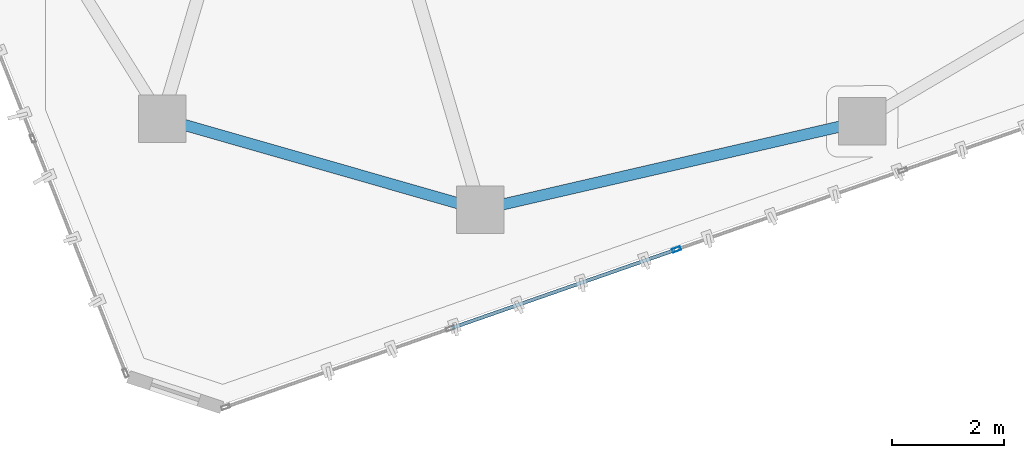
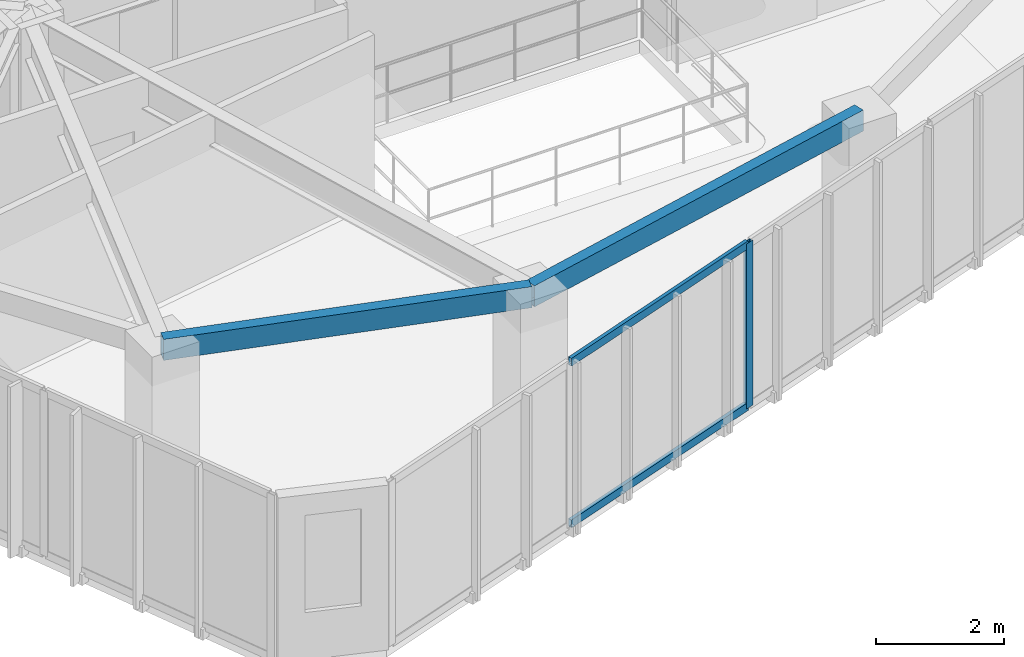
# One storey, part 3 of 20: 3 members, 2 beams, 1 element without a shape of its own.
"""IFC4 building model written with IfcOpenShell, lengths in metres."""

from ifc_helpers import new_model, si_unit, direction, frame, origin, origin_2d, place, context, subcontext, project, spatial, hollow_rectangle, extrude, source, transform, mapped, material, layer, layer_set, material_profile, profile_set, type_object, type_shapes, element, aggregate, save


model = new_model("IFC4")

# Units and contexts
model_context = context("Model", 3, precision=1e-05, world=origin(), true_north=direction((0.0, 1.0)))
body_context = subcontext(model_context, "Body", "Model", "MODEL_VIEW")
ifc_project = project(units=[si_unit("LENGTHUNIT", "METRE"), si_unit("AREAUNIT", "SQUARE_METRE"), si_unit("VOLUMEUNIT", "CUBIC_METRE"), si_unit("PLANEANGLEUNIT", "RADIAN"), si_unit("MASSUNIT", "GRAM", prefix="KILO")], contexts=[model_context])

# Site, building, storey
site_placement = place(None, origin())
site = spatial("IfcSite", under=ifc_project, at=site_placement, CompositionType="ELEMENT")
building_placement = place(site_placement, origin())
building = spatial("IfcBuilding", under=site, at=building_placement, Name="Talar Marvaseh", CompositionType="ELEMENT")
storey_placement = place(building_placement, frame((0.0, 0.0, 285.0)))
storey = spatial("IfcBuildingStorey", under=building, at=storey_placement, Name="L76", CompositionType="ELEMENT", Elevation=285.0)

# Beams
ifc_material_1 = material(Name="Steel S355", Category="steel")
ifc_material_profile_1 = material_profile(ifc_material_1, hollow_rectangle(XDim=0.199951171875, YDim=0.39990234375, WallThickness=0.013916015625, at=origin_2d()), Name="RHS400x200x14")
ifc_profile_set_1 = profile_set([ifc_material_profile_1], Name="Steel S355")
beam_type = type_object("IfcBeamType", Name="Zone 3 Perimeter Spandrel Beam RHS400x200x14", PredefinedType="SPANDREL", material=ifc_profile_set_1)
beam_1_placement = place(storey_placement, frame((28.60498046875, 16.616943359375, 2.93994140625), z_axis=(-0.974361245946, -0.22498924952, 0.0), x_axis=(0.22498924952, -0.974361245946, 0.0)))
element("IfcBeam", 1, at=beam_1_placement, inside=storey, type_object=beam_type, Name="L76 Zone 3 Perimeter Spandrel Beam RHS400x200x14", PredefinedType="SPANDREL", context=body_context, shape_type="SweptSolid", body=[
    extrude(hollow_rectangle(XDim=0.199951171875, YDim=0.39990234375, WallThickness=0.013916015625, at=origin_2d()), origin(), (0.0, 0.0, 1.0), 7.0087890625),
])
beam_2_placement = place(storey_placement, frame((21.77587890625, 15.0400390625, 2.93994140625), z_axis=(-0.961411768303, 0.275113452538, 0.0), x_axis=(-0.275113452538, -0.961411768303, 0.0)))
element("IfcBeam", 2, at=beam_2_placement, inside=storey, type_object=beam_type, Name="L76 Zone 3 Perimeter Spandrel Beam RHS400x200x14", PredefinedType="SPANDREL", context=body_context, shape_type="SweptSolid", body=[
    extrude(hollow_rectangle(XDim=0.199951171875, YDim=0.39990234375, WallThickness=0.013916015625, at=origin_2d()), origin(), (0.0, 0.0, 1.0), 5.917236328125),
])

# Curtain wall, members
ifc_material_2 = material(Name="Architectural Aluminium", Category="aluminium")
ifc_layer = layer(ifc_material_2, 0.179931640625)
ifc_layer_set = layer_set([ifc_layer], Name="Architectural Aluminium")
curtain_wall_type = type_object("IfcCurtainWallType", Name="Unitised High-Wind Sky Curtain Wall Z4", PredefinedType="NOTDEFINED", material=ifc_layer_set)
curtain_wall_placement = place(storey_placement, origin())
curtain_wall = element("IfcCurtainWall", 3, at=curtain_wall_placement, inside=storey, type_object=curtain_wall_type, Name="L76 Unitised High-Wind Sky Curtain Wall Z4", PredefinedType="NOTDEFINED")
ifc_material_profile_2 = material_profile(ifc_material_2, hollow_rectangle(XDim=0.06494140625, YDim=0.14990234375, WallThickness=0.00390625, at=origin_2d()), Name="RHS150x65x4")
ifc_profile_set_2 = profile_set([ifc_material_profile_2], Name="Architectural Aluminium")
member_type_1 = type_object("IfcMemberType", Name="Unitised Curtain Wall Slim Mullion RHS150x65x4", PredefinedType="MULLION", material=ifc_profile_set_2)
shared_shape_1 = source(origin(), body_context, "Body", "SweptSolid", [
    extrude(hollow_rectangle(XDim=0.06494140625, YDim=0.14990234375, WallThickness=0.00390625, at=origin_2d()), origin(), (0.0, 0.0, 1.0), 3.139892578125),
])
type_shapes(member_type_1, [shared_shape_1])
member_1_placement = place(storey_placement, frame((25.285400390625, 14.327392578125, 0.0), z_axis=(0.0, 0.0, 1.0), x_axis=(0.329838044597, -0.94403753333, 0.0)))
member_1 = element("IfcMember", 4, at=member_1_placement, type_object=member_type_1, Name="CW-Z4 mullion 3", PredefinedType="MULLION", context=body_context, shape_type="MappedRepresentation", body=[
    mapped(shared_shape_1, transform((0.0, 0.0, 0.0), x_axis=(1.0, 0.0, 0.0), y_axis=(0.0, 1.0, 0.0), z_axis=(0.0, 0.0, 1.0), scale=1.0)),
])
ifc_material_profile_3 = material_profile(ifc_material_2, hollow_rectangle(XDim=0.06494140625, YDim=0.14990234375, WallThickness=0.00390625, at=origin_2d()), Name="RHS150x65x4")
ifc_profile_set_3 = profile_set([ifc_material_profile_3], Name="Architectural Aluminium")
member_type_2 = type_object("IfcMemberType", Name="Unitised Curtain Wall Slim Transom RHS150x65x4", PredefinedType="USERDEFINED", material=ifc_profile_set_3)
shared_shape_2 = source(origin(), body_context, "Body", "SweptSolid", [
    extrude(hollow_rectangle(XDim=0.06494140625, YDim=0.14990234375, WallThickness=0.00390625, at=origin_2d()), origin(), (0.0, 0.0, 1.0), 4.221435546875),
])
type_shapes(member_type_2, [shared_shape_2])
member_2_placement = place(storey_placement, frame((25.2548828125, 14.316650390625, 0.032470703125), z_axis=(-0.944039447595, -0.329832565682, 0.0), x_axis=(0.329832565682, -0.944039447595, 0.0)))
member_2 = element("IfcMember", 5, at=member_2_placement, type_object=member_type_2, Name="CW-Z4 transom 3.1", ObjectType="TRANSOM", PredefinedType="USERDEFINED", context=body_context, shape_type="MappedRepresentation", body=[
    mapped(shared_shape_2, transform((0.0, 0.0, 0.0), x_axis=(1.0, 0.0, 0.0), y_axis=(0.0, 1.0, 0.0), z_axis=(0.0, 0.0, 1.0), scale=1.0)),
])
member_3_placement = place(storey_placement, frame((25.2548828125, 14.316650390625, 3.107421875), z_axis=(-0.944039447595, -0.329832565682, 0.0), x_axis=(0.329832565682, -0.944039447595, 0.0)))
member_3 = element("IfcMember", 6, at=member_3_placement, type_object=member_type_2, Name="CW-Z4 transom 3.2", ObjectType="TRANSOM", PredefinedType="USERDEFINED", context=body_context, shape_type="MappedRepresentation", body=[
    mapped(shared_shape_2, transform((0.0, 0.0, 0.0), x_axis=(1.0, 0.0, 0.0), y_axis=(0.0, 1.0, 0.0), z_axis=(0.0, 0.0, 1.0), scale=1.0)),
])
aggregate(curtain_wall, [member_1, member_2, member_3])

save(model, "model.ifc")
